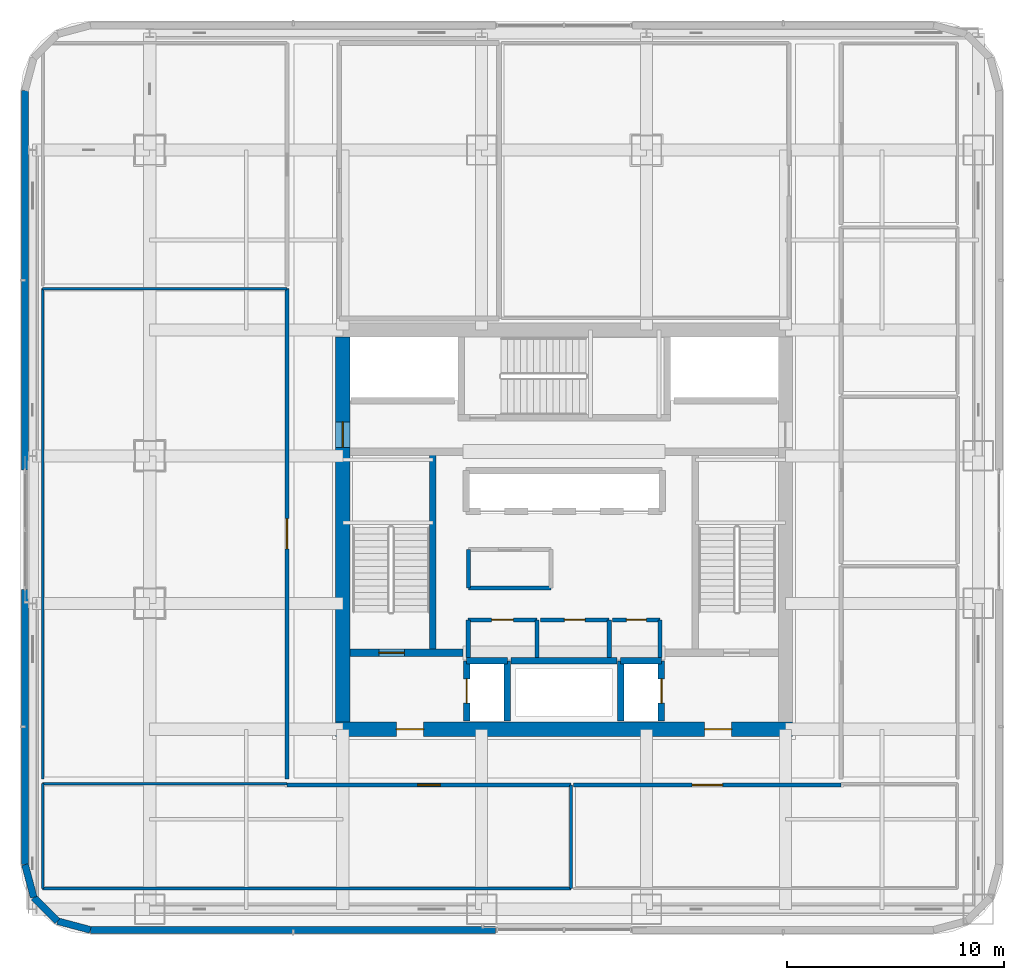
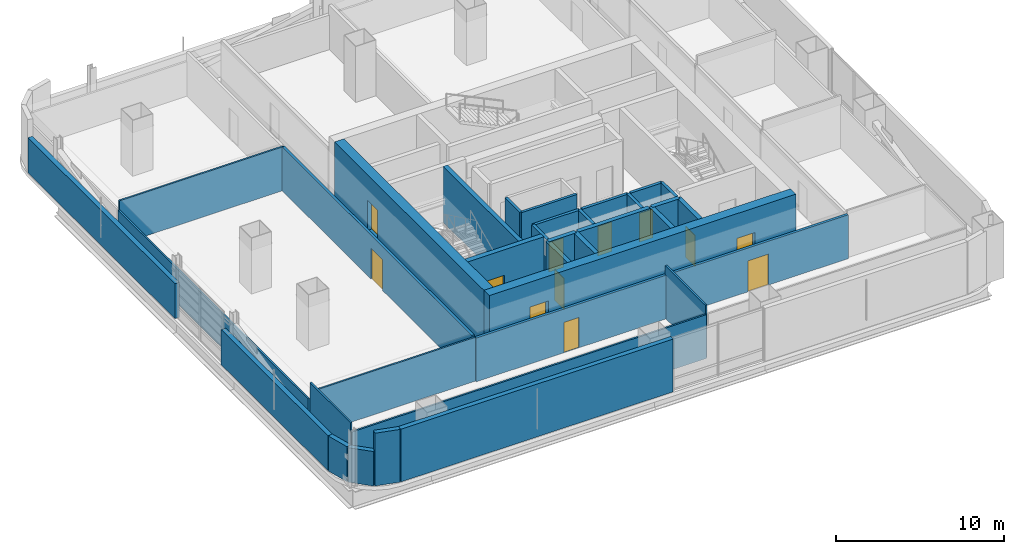
# One storey, part 13 of 32: 35 walls, 12 doors, 12 openings.
"""IFC4 building model written with IfcOpenShell, lengths in metres."""

from ifc_helpers import new_model, si_unit, direction, frame, frame_2d, origin, place, context, subcontext, project, spatial, rectangle, extrude, material, layer, layer_set, type_object, element, fill, save


model = new_model("IFC4")

# Units and contexts
model_context = context("Model", 3, precision=1e-05, world=origin(), true_north=direction((0.0, 1.0)))
body_context = subcontext(model_context, "Body", "Model", "MODEL_VIEW")
ifc_project = project(units=[si_unit("LENGTHUNIT", "METRE"), si_unit("AREAUNIT", "SQUARE_METRE"), si_unit("VOLUMEUNIT", "CUBIC_METRE"), si_unit("PLANEANGLEUNIT", "RADIAN"), si_unit("MASSUNIT", "GRAM", prefix="KILO")], contexts=[model_context])

# Site, building, storey
site_placement = place(None, origin())
site = spatial("IfcSite", under=ifc_project, at=site_placement, CompositionType="ELEMENT")
building_placement = place(site_placement, origin())
building = spatial("IfcBuilding", under=site, at=building_placement, Name="Punatoya Terracotta Tower", CompositionType="ELEMENT")
storey_placement = place(building_placement, frame((0.0, 0.0, 139.800048828125)))
storey = spatial("IfcBuildingStorey", under=building, at=storey_placement, Name="L32", CompositionType="ELEMENT", Elevation=139.800048828125)

# Wall, openings, doors
ifc_material_1 = material(Name="Concrete C60/75", Category="concrete")
ifc_layer_1 = layer(ifc_material_1, 0.64990234375)
ifc_layer_set_1 = layer_set([ifc_layer_1], Name="Concrete C60/75")
wall_type_1 = type_object("IfcWallType", Name="WL-COR-650", PredefinedType="SHEAR", material=ifc_layer_set_1)
wall_1_placement = place(storey_placement, frame((10.52490234375, -9.199951171875, 0.0), z_axis=(0.0, 0.0, 1.0), x_axis=(-1.0, 0.0, 0.0)))
wall_1 = element("IfcWall", 1, at=wall_1_placement, inside=storey, type_object=wall_type_1, Name="L32 Core Shear Wall S", PredefinedType="SHEAR", context=body_context, shape_type="SweptSolid", body=[
    extrude(rectangle(XDim=21.0498046875, YDim=0.64990234375, at=frame_2d((10.52490234375, 0.0))), origin(), (0.0, 0.0, 1.0), 4.050048828125),
])
opening_1_placement = place(wall_1_placement, frame((2.800048828125, 0.0, 0.0)))
opening_1 = element("IfcOpeningElement", 2, at=opening_1_placement, cuts=wall_1, Name="Opening FD-L1", PredefinedType="OPENING", context=body_context, shape_type="SweptSolid", body=[
    extrude(rectangle(XDim=1.25, YDim=2.25, at=frame_2d((0.625, 1.125))), frame((0.0, 0.3349609375, 0.0), z_axis=(0.0, -1.0, 0.0), x_axis=(1.0, 0.0, 0.0)), (0.0, 0.0, 1.0), 0.669921875),
])
opening_2_placement = place(wall_1_placement, frame((17.0, 0.0, 0.0)))
opening_2 = element("IfcOpeningElement", 3, at=opening_2_placement, cuts=wall_1, Name="Opening FD-L1", PredefinedType="OPENING", context=body_context, shape_type="SweptSolid", body=[
    extrude(rectangle(XDim=1.25, YDim=2.25, at=frame_2d((0.625, 1.125))), frame((0.0, 0.3349609375, 0.0), z_axis=(0.0, -1.0, 0.0), x_axis=(1.0, 0.0, 0.0)), (0.0, 0.0, 1.0), 0.669921875),
])
ifc_material_2 = material(Name="Galvanised Steel Smokeproof Fire Door", Category="steel")
door_type_1 = type_object("IfcDoorType", Name="DR-FFL-1250", OperationType="NOTDEFINED", PredefinedType="DOOR", material=ifc_material_2)
door_1_placement = place(opening_1_placement, origin())
door_1 = element("IfcDoor", 4, at=door_1_placement, inside=storey, type_object=door_type_1, Name="L32 East Firefighting Lobby Corridor Fire Door", OperationType="SINGLE_SWING_LEFT", OverallHeight=2.25, OverallWidth=1.25, PredefinedType="DOOR", context=body_context, shape_type="SweptSolid", body=[
    extrude(rectangle(XDim=1.25, YDim=2.25, at=frame_2d((0.625, 1.125))), frame((0.0, 0.02490234375, 0.0), z_axis=(0.0, -1.0, 0.0), x_axis=(1.0, 0.0, 0.0)), (0.0, 0.0, 1.0), 0.050048828125),
])
fill(opening_1, door_1)
door_2_placement = place(opening_2_placement, origin())
door_2 = element("IfcDoor", 5, at=door_2_placement, inside=storey, type_object=door_type_1, Name="L32 West Firefighting Lobby Corridor Fire Door", OperationType="SINGLE_SWING_RIGHT", OverallHeight=2.25, OverallWidth=1.25, PredefinedType="DOOR", context=body_context, shape_type="SweptSolid", body=[
    extrude(rectangle(XDim=1.25, YDim=2.25, at=frame_2d((0.625, 1.125))), frame((0.0, 0.02490234375, 0.0), z_axis=(0.0, -1.0, 0.0), x_axis=(1.0, 0.0, 0.0)), (0.0, 0.0, 1.0), 0.050048828125),
])
fill(opening_2, door_2)

# Wall, opening, door
wall_2_placement = place(storey_placement, frame((-10.199951171875, -8.875, 0.0), z_axis=(0.0, 0.0, 1.0), x_axis=(0.0, 1.0, 0.0)))
wall_2 = element("IfcWall", 6, at=wall_2_placement, inside=storey, type_object=wall_type_1, Name="L32 Core Shear Wall W", PredefinedType="SHEAR", context=body_context, shape_type="SweptSolid", body=[
    extrude(rectangle(XDim=17.75, YDim=0.64990234375, at=frame_2d((8.875, 0.0))), origin(), (0.0, 0.0, 1.0), 4.050048828125),
])
opening_3_placement = place(wall_2_placement, frame((12.6650390625, 0.0, 0.0)))
opening_3 = element("IfcOpeningElement", 7, at=opening_3_placement, cuts=wall_2, Name="Opening SD-01", PredefinedType="OPENING", context=body_context, shape_type="SweptSolid", body=[
    extrude(rectangle(XDim=1.179931640625, YDim=2.199951171875, at=frame_2d((0.58984375, 1.10009765625))), frame((0.0, 0.3349609375, 0.0), z_axis=(0.0, -1.0, 0.0), x_axis=(1.0, 0.0, 0.0)), (0.0, 0.0, 1.0), 0.669921875),
])
ifc_material_3 = material(Name="Galvanised Steel Pressurized Stair Fire Door", Category="steel")
door_type_2 = type_object("IfcDoorType", Name="DR-STR-1180", OperationType="NOTDEFINED", PredefinedType="DOOR", material=ifc_material_3)
door_3_placement = place(opening_3_placement, origin())
door_3 = element("IfcDoor", 8, at=door_3_placement, inside=storey, type_object=door_type_2, Name="L32 Central Lift Lobby West Fire Door", OperationType="SINGLE_SWING_LEFT", OverallHeight=2.199951171875, OverallWidth=1.179931640625, PredefinedType="DOOR", context=body_context, shape_type="SweptSolid", body=[
    extrude(rectangle(XDim=1.179931640625, YDim=2.199951171875, at=frame_2d((0.58984375, 1.10009765625))), frame((0.0, 0.02490234375, 0.0), z_axis=(0.0, -1.0, 0.0), x_axis=(1.0, 0.0, 0.0)), (0.0, 0.0, 1.0), 0.050048828125),
])
fill(opening_3, door_3)

# Walls
ifc_material_4 = material(Name="Gypsum Fireboard + Steel Stud", Category="steel")
ifc_layer_2 = layer(ifc_material_4, 0.179931640625)
ifc_layer_set_2 = layer_set([ifc_layer_2], Name="Gypsum Fireboard + Steel Stud")
wall_type_2 = type_object("IfcWallType", Name="WL-CORR-180", PredefinedType="PARTITIONING", material=ifc_layer_set_2)
wall_3_placement = place(storey_placement, frame((-4.39990234375, -0.919921875, 0.0), z_axis=(0.0, 0.0, 1.0), x_axis=(0.0, -1.0, 0.0)))
element("IfcWall", 9, at=wall_3_placement, inside=storey, type_object=wall_type_2, Name="L32 West Core Archive Office Partition 10", PredefinedType="PARTITIONING", context=body_context, shape_type="SweptSolid", body=[
    extrude(rectangle(XDim=1.760009765625, YDim=0.179931640625, at=frame_2d((0.8798828125, 0.0))), origin(), (0.0, 0.0, 1.0), 3.829833984375),
])
wall_4_placement = place(storey_placement, frame((-4.39990234375, -2.679931640625, 0.0), z_axis=(0.0, 0.0, 1.0), x_axis=(1.0, 0.0, 0.0)))
element("IfcWall", 10, at=wall_4_placement, inside=storey, type_object=wall_type_2, Name="L32 West Core Archive Office Partition 11", PredefinedType="PARTITIONING", context=body_context, shape_type="SweptSolid", body=[
    extrude(rectangle(XDim=3.7998046875, YDim=0.179931640625, at=frame_2d((1.89990234375, 0.0))), origin(), (0.0, 0.0, 1.0), 3.829833984375),
])

# Wall, opening, door
wall_5_placement = place(storey_placement, frame((-12.77001953125, -11.77001953125, 0.0), z_axis=(0.0, 0.0, 1.0), x_axis=(1.0, 0.0, 0.0)))
wall_5 = element("IfcWall", 11, at=wall_5_placement, inside=storey, type_object=wall_type_2, Name="L32 Client Media Salon Partition 13", PredefinedType="PARTITIONING", context=body_context, shape_type="SweptSolid", body=[
    extrude(rectangle(XDim=13.088134765625, YDim=0.179931640625, at=frame_2d((6.5439453125, 0.0))), origin(), (0.0, 0.0, 1.0), 3.174072265625),
])
opening_4_placement = place(wall_5_placement, frame((6.01904296875, 0.0, 0.0)))
opening_4 = element("IfcOpeningElement", 12, at=opening_4_placement, cuts=wall_5, Name="Opening OD-01", PredefinedType="OPENING", context=body_context, shape_type="SweptSolid", body=[
    extrude(rectangle(XDim=1.050048828125, YDim=2.199951171875, at=frame_2d((0.52490234375, 1.10009765625))), frame((0.0, 0.099853515625, 0.0), z_axis=(0.0, -1.0, 0.0), x_axis=(1.0, 0.0, 0.0)), (0.0, 0.0, 1.0), 0.199951171875),
])
ifc_material_5 = material(Name="Bengal Teak Solid-Core Leaf")
door_type_3 = type_object("IfcDoorType", Name="DR-OFF-1050", OperationType="NOTDEFINED", PredefinedType="DOOR", material=ifc_material_5)
door_4_placement = place(opening_4_placement, origin())
door_4 = element("IfcDoor", 13, at=door_4_placement, inside=storey, type_object=door_type_3, Name="L32 Client Media Salon Door", OperationType="SINGLE_SWING_RIGHT", OverallHeight=2.199951171875, OverallWidth=1.050048828125, PredefinedType="DOOR", context=body_context, shape_type="SweptSolid", body=[
    extrude(rectangle(XDim=1.050048828125, YDim=2.199951171875, at=frame_2d((0.52490234375, 1.10009765625))), frame((0.0, 0.02490234375, 0.0), z_axis=(0.0, -1.0, 0.0), x_axis=(1.0, 0.0, 0.0)), (0.0, 0.0, 1.0), 0.050048828125),
])
fill(opening_4, door_4)

wall_6_placement = place(storey_placement, frame((0.43798828125, -11.77001953125, 0.0), z_axis=(0.0, 0.0, 1.0), x_axis=(1.0, 0.0, 0.0)))
wall_6 = element("IfcWall", 14, at=wall_6_placement, inside=storey, type_object=wall_type_2, Name="L32 Media Broadcast Studio Partition 17", PredefinedType="PARTITIONING", context=body_context, shape_type="SweptSolid", body=[
    extrude(rectangle(XDim=12.33203125, YDim=0.179931640625, at=frame_2d((6.166015625, 0.0))), origin(), (0.0, 0.0, 1.0), 3.174072265625),
])
opening_5_placement = place(wall_6_placement, frame((5.466064453125, 0.0, 0.0)))
opening_5 = element("IfcOpeningElement", 15, at=opening_5_placement, cuts=wall_6, Name="Opening BD-01", PredefinedType="OPENING", context=body_context, shape_type="SweptSolid", body=[
    extrude(rectangle(XDim=1.39990234375, YDim=2.25, at=frame_2d((0.699951171875, 1.125))), frame((0.0, 0.099853515625, 0.0), z_axis=(0.0, -1.0, 0.0), x_axis=(1.0, 0.0, 0.0)), (0.0, 0.0, 1.0), 0.199951171875),
])
ifc_material_6 = material(Name="Bengal Teak Acoustic Leaf")
door_type_4 = type_object("IfcDoorType", Name="DR-BRD-1400", OperationType="NOTDEFINED", PredefinedType="DOOR", material=ifc_material_6)
door_5_placement = place(opening_5_placement, origin())
door_5 = element("IfcDoor", 16, at=door_5_placement, inside=storey, type_object=door_type_4, Name="L32 Media Broadcast Studio Door", OperationType="SINGLE_SWING_LEFT", OverallHeight=2.25, OverallWidth=1.39990234375, PredefinedType="DOOR", context=body_context, shape_type="SweptSolid", body=[
    extrude(rectangle(XDim=1.39990234375, YDim=2.25, at=frame_2d((0.699951171875, 1.125))), frame((0.0, 0.02490234375, 0.0), z_axis=(0.0, -1.0, 0.0), x_axis=(1.0, 0.0, 0.0)), (0.0, 0.0, 1.0), 0.050048828125),
])
fill(opening_5, door_5)

wall_7_placement = place(storey_placement, frame((-12.77001953125, 11.110107421875, 0.0), z_axis=(0.0, 0.0, 1.0), x_axis=(0.0, -1.0, 0.0)))
wall_7 = element("IfcWall", 17, at=wall_7_placement, inside=storey, type_object=wall_type_2, Name="L32 Press Briefing Room Partition 26", PredefinedType="PARTITIONING", context=body_context, shape_type="SweptSolid", body=[
    extrude(rectangle(XDim=22.60009765625, YDim=0.179931640625, at=frame_2d((11.300048828125, 0.0))), origin(), (0.0, 0.0, 1.0), 3.174072265625),
])
opening_6_placement = place(wall_7_placement, frame((10.60009765625, 0.0, 0.0)))
opening_6 = element("IfcOpeningElement", 18, at=opening_6_placement, cuts=wall_7, Name="Opening BD-01", PredefinedType="OPENING", context=body_context, shape_type="SweptSolid", body=[
    extrude(rectangle(XDim=1.39990234375, YDim=2.25, at=frame_2d((0.699951171875, 1.125))), frame((0.0, 0.099853515625, 0.0), z_axis=(0.0, -1.0, 0.0), x_axis=(1.0, 0.0, 0.0)), (0.0, 0.0, 1.0), 0.199951171875),
])
door_6_placement = place(opening_6_placement, origin())
door_6 = element("IfcDoor", 19, at=door_6_placement, inside=storey, type_object=door_type_4, Name="L32 Press Briefing Room Door", OperationType="SINGLE_SWING_LEFT", OverallHeight=2.25, OverallWidth=1.39990234375, PredefinedType="DOOR", context=body_context, shape_type="SweptSolid", body=[
    extrude(rectangle(XDim=1.39990234375, YDim=2.25, at=frame_2d((0.699951171875, 1.125))), frame((0.0, 0.02490234375, 0.0), z_axis=(0.0, -1.0, 0.0), x_axis=(1.0, 0.0, 0.0)), (0.0, 0.0, 1.0), 0.050048828125),
])
fill(opening_6, door_6)

# Walls
ifc_material_7 = material(Name="Precast concrete C40/50", Category="concrete")
ifc_layer_3 = layer(ifc_material_7, 0.320068359375)
ifc_layer_set_3 = layer_set([ifc_layer_3], Name="Precast concrete C40/50")
wall_type_3 = type_object("IfcWallType", Name="WL-EXT-320", PredefinedType="SOLIDWALL", material=ifc_layer_set_3)
wall_8_placement = place(storey_placement, frame((-21.8369140625, -18.449951171875, 0.0), z_axis=(0.0, 0.0, 1.0), x_axis=(1.0, 0.0, 0.0)))
element("IfcWall", 20, at=wall_8_placement, inside=storey, type_object=wall_type_3, Name="L32 Terracotta Braced Facade Wall S1", PredefinedType="SOLIDWALL", context=body_context, shape_type="SweptSolid", body=[
    extrude(rectangle(XDim=18.68701171875, YDim=0.320068359375, at=frame_2d((9.343505859375, 0.0))), origin(), (0.0, 0.0, 1.0), 3.829833984375),
])
wall_9_placement = place(storey_placement, frame((-24.85009765625, 20.23681640625, 0.0), z_axis=(0.0, 0.0, 1.0), x_axis=(0.0, -1.0, 0.0)))
element("IfcWall", 21, at=wall_9_placement, inside=storey, type_object=wall_type_3, Name="L32 Terracotta Braced Facade Wall W1", PredefinedType="SOLIDWALL", context=body_context, shape_type="SweptSolid", body=[
    extrude(rectangle(XDim=17.48681640625, YDim=0.320068359375, at=frame_2d((8.743408203125, 0.0))), origin(), (0.0, 0.0, 1.0), 2.5439453125),
])
wall_10_placement = place(storey_placement, frame((-24.85009765625, -2.75, 0.0), z_axis=(0.0, 0.0, 1.0), x_axis=(0.0, -1.0, 0.0)))
element("IfcWall", 22, at=wall_10_placement, inside=storey, type_object=wall_type_3, Name="L32 Terracotta Braced Facade Wall W2", PredefinedType="SOLIDWALL", context=body_context, shape_type="SweptSolid", body=[
    extrude(rectangle(XDim=12.68701171875, YDim=0.320068359375, at=frame_2d((6.343505859375, 0.0))), origin(), (0.0, 0.0, 1.0), 2.5439453125),
])
wall_11_placement = place(storey_placement, frame((-24.85009765625, -15.43701171875, 0.0), z_axis=(0.0, 0.0, 1.0), x_axis=(0.257847112249, -0.966185730957, 0.0)))
element("IfcWall", 23, at=wall_11_placement, inside=storey, type_object=wall_type_3, Name="L32 Rounded Terracotta Corner Pier 14", PredefinedType="SOLIDWALL", context=body_context, shape_type="SweptSolid", body=[
    extrude(rectangle(XDim=1.565185546875, YDim=0.320068359375, at=frame_2d((0.78271484375, 0.0))), origin(), (0.0, 0.0, 1.0), 2.5439453125),
])
wall_12_placement = place(storey_placement, frame((-24.446533203125, -16.94921875, 0.0), z_axis=(0.0, 0.0, 1.0), x_axis=(0.707106781187, -0.707106781187, 0.0)))
element("IfcWall", 24, at=wall_12_placement, inside=storey, type_object=wall_type_3, Name="L32 Rounded Terracotta Corner Pier 15", PredefinedType="SOLIDWALL", context=body_context, shape_type="SweptSolid", body=[
    extrude(rectangle(XDim=1.552001953125, YDim=0.320068359375, at=frame_2d((0.77587890625, 0.0))), origin(), (0.0, 0.0, 1.0), 2.50390625),
])
wall_13_placement = place(storey_placement, frame((-23.34912109375, -18.046630859375, 0.0), z_axis=(0.0, 0.0, 1.0), x_axis=(0.966224582397, -0.257701486942, 0.0)))
element("IfcWall", 25, at=wall_13_placement, inside=storey, type_object=wall_type_3, Name="L32 Rounded Terracotta Corner Pier 16", PredefinedType="SOLIDWALL", context=body_context, shape_type="SweptSolid", body=[
    extrude(rectangle(XDim=1.565185546875, YDim=0.320068359375, at=frame_2d((0.78271484375, 0.0))), origin(), (0.0, 0.0, 1.0), 3.829833984375),
])
ifc_material_8 = material(Name="Concrete C40/50", Category="concrete")
ifc_layer_4 = layer(ifc_material_8, 0.199951171875)
ifc_layer_set_4 = layer_set([ifc_layer_4], Name="Concrete C40/50")
wall_type_4 = type_object("IfcWallType", Name="WL-INT-200", PredefinedType="SOLIDWALL", material=ifc_layer_set_4)
wall_14_placement = place(storey_placement, frame((-1.25, -5.89990234375, 0.0), z_axis=(0.0, 0.0, 1.0), x_axis=(0.0, 1.0, 0.0)))
element("IfcWall", 26, at=wall_14_placement, inside=storey, type_object=wall_type_4, Name="L32 Accessible Universal Washroom Partition 01", PredefinedType="SOLIDWALL", context=body_context, shape_type="SweptSolid", body=[
    extrude(rectangle(XDim=1.739990234375, YDim=0.199951171875, at=frame_2d((0.8701171875, 0.0))), origin(), (0.0, 0.0, 1.0), 3.829833984375),
])

# Wall, opening, door
wall_15_placement = place(storey_placement, frame((-1.25, -4.159912109375, 0.0), z_axis=(0.0, 0.0, 1.0), x_axis=(-1.0, 0.0, 0.0)))
wall_15 = element("IfcWall", 27, at=wall_15_placement, inside=storey, type_object=wall_type_4, Name="L32 Accessible Universal Washroom Partition 02", PredefinedType="SOLIDWALL", context=body_context, shape_type="SweptSolid", body=[
    extrude(rectangle(XDim=3.169921875, YDim=0.199951171875, at=frame_2d((1.5849609375, 0.0))), origin(), (0.0, 0.0, 1.0), 3.829833984375),
])
opening_7_placement = place(wall_15_placement, frame((1.0849609375, 0.0, 0.0)))
opening_7 = element("IfcOpeningElement", 28, at=opening_7_placement, cuts=wall_15, Name="Opening AWD-1", PredefinedType="OPENING", context=body_context, shape_type="SweptSolid", body=[
    extrude(rectangle(XDim=1.0, YDim=2.14990234375, at=frame_2d((0.5, 1.074951171875))), frame((0.0, 0.10986328125, 0.0), z_axis=(0.0, -1.0, 0.0), x_axis=(1.0, 0.0, 0.0)), (0.0, 0.0, 1.0), 0.219970703125),
])
ifc_material_9 = material(Name="Bengal Teak Accessible WC Leaf")
door_type_5 = type_object("IfcDoorType", Name="DR-ACC-1000", OperationType="NOTDEFINED", PredefinedType="DOOR", material=ifc_material_9)
door_7_placement = place(opening_7_placement, origin())
door_7 = element("IfcDoor", 29, at=door_7_placement, inside=storey, type_object=door_type_5, Name="L32 Accessible Universal Washroom Door", OperationType="SINGLE_SWING_RIGHT", OverallHeight=2.14990234375, OverallWidth=1.0, PredefinedType="DOOR", context=body_context, shape_type="SweptSolid", body=[
    extrude(rectangle(XDim=1.0, YDim=2.14990234375, at=frame_2d((0.5, 1.074951171875))), frame((0.0, 0.02490234375, 0.0), z_axis=(0.0, -1.0, 0.0), x_axis=(1.0, 0.0, 0.0)), (0.0, 0.0, 1.0), 0.050048828125),
])
fill(opening_7, door_7)

# Walls
for number, where, z_axis, x_axis, name in (
    (30, (-4.419921875, -4.159912109375, 0.0), (0.0, 0.0, 1.0), (0.0, -1.0, 0.0), "L32 Accessible Universal Washroom Partition 03"),
    (31, (2.080078125, -5.89990234375, 0.0), (0.0, 0.0, 1.0), (0.0, 1.0, 0.0), "L32 All-Gender Universal Washroom Partition 04"),
):
    element("IfcWall", number, at=place(storey_placement, frame(where, z_axis=z_axis, x_axis=x_axis)), inside=storey, type_object=wall_type_4, Name=name, PredefinedType="SOLIDWALL", context=body_context, shape_type="SweptSolid", body=[
        extrude(rectangle(XDim=1.739990234375, YDim=0.199951171875, at=frame_2d((0.8701171875, 0.0))), origin(), (0.0, 0.0, 1.0), 3.829833984375),
    ])

# Wall, opening, door
wall_16_placement = place(storey_placement, frame((2.080078125, -4.159912109375, 0.0), z_axis=(0.0, 0.0, 1.0), x_axis=(-1.0, 0.0, 0.0)))
wall_16 = element("IfcWall", 32, at=wall_16_placement, inside=storey, type_object=wall_type_4, Name="L32 All-Gender Universal Washroom Partition 05", PredefinedType="SOLIDWALL", context=body_context, shape_type="SweptSolid", body=[
    extrude(rectangle(XDim=3.170166015625, YDim=0.199951171875, at=frame_2d((1.5849609375, 0.0))), origin(), (0.0, 0.0, 1.0), 3.829833984375),
])
opening_8_placement = place(wall_16_placement, frame((1.110107421875, 0.0, 0.0)))
opening_8 = element("IfcOpeningElement", 33, at=opening_8_placement, cuts=wall_16, Name="Opening WD-01", PredefinedType="OPENING", context=body_context, shape_type="SweptSolid", body=[
    extrude(rectangle(XDim=0.949951171875, YDim=2.14990234375, at=frame_2d((0.47509765625, 1.074951171875))), frame((0.0, 0.10986328125, 0.0), z_axis=(0.0, -1.0, 0.0), x_axis=(1.0, 0.0, 0.0)), (0.0, 0.0, 1.0), 0.219970703125),
])
ifc_material_10 = material(Name="Moisture-Resistant Laminate Timber Leaf", Category="wood")
door_type_6 = type_object("IfcDoorType", Name="DR-WC-950", OperationType="NOTDEFINED", PredefinedType="DOOR", material=ifc_material_10)
door_8_placement = place(opening_8_placement, origin())
door_8 = element("IfcDoor", 34, at=door_8_placement, inside=storey, type_object=door_type_6, Name="L32 All-Gender Universal Washroom Door", OperationType="SINGLE_SWING_LEFT", OverallHeight=2.14990234375, OverallWidth=0.949951171875, PredefinedType="DOOR", context=body_context, shape_type="SweptSolid", body=[
    extrude(rectangle(XDim=0.949951171875, YDim=2.14990234375, at=frame_2d((0.47509765625, 1.074951171875))), frame((0.0, 0.02490234375, 0.0), z_axis=(0.0, -1.0, 0.0), x_axis=(1.0, 0.0, 0.0)), (0.0, 0.0, 1.0), 0.050048828125),
])
fill(opening_8, door_8)

# Wall
wall_17_placement = place(storey_placement, frame((4.419921875, -5.89990234375, 0.0), z_axis=(0.0, 0.0, 1.0), x_axis=(0.0, 1.0, 0.0)))
element("IfcWall", 35, at=wall_17_placement, inside=storey, type_object=wall_type_4, Name="L32 Core Electrical Switchgear Room Partition 06", PredefinedType="SOLIDWALL", context=body_context, shape_type="SweptSolid", body=[
    extrude(rectangle(XDim=1.739990234375, YDim=0.199951171875, at=frame_2d((0.8701171875, 0.0))), origin(), (0.0, 0.0, 1.0), 3.829833984375),
])

# Wall, opening, door
wall_18_placement = place(storey_placement, frame((4.419921875, -4.159912109375, 0.0), z_axis=(0.0, 0.0, 1.0), x_axis=(-1.0, 0.0, 0.0)))
wall_18 = element("IfcWall", 36, at=wall_18_placement, inside=storey, type_object=wall_type_4, Name="L32 Core Electrical Switchgear Room Partition 07", PredefinedType="SOLIDWALL", context=body_context, shape_type="SweptSolid", body=[
    extrude(rectangle(XDim=2.179931640625, YDim=0.199951171875, at=frame_2d((1.08984375, 0.0))), origin(), (0.0, 0.0, 1.0), 3.829833984375),
])
opening_9_placement = place(wall_18_placement, frame((0.6298828125, 0.0, 0.0)))
opening_9 = element("IfcOpeningElement", 37, at=opening_9_placement, cuts=wall_18, Name="Opening FD-R1", PredefinedType="OPENING", context=body_context, shape_type="SweptSolid", body=[
    extrude(rectangle(XDim=0.919921875, YDim=2.10009765625, at=frame_2d((0.4599609375, 1.050048828125))), frame((0.0, 0.10986328125, 0.0), z_axis=(0.0, -1.0, 0.0), x_axis=(1.0, 0.0, 0.0)), (0.0, 0.0, 1.0), 0.219970703125),
])
ifc_material_11 = material(Name="Galvanised Steel Riser Fire Access Door", Category="steel")
door_type_7 = type_object("IfcDoorType", Name="DR-RSR-920", OperationType="NOTDEFINED", PredefinedType="DOOR", material=ifc_material_11)
door_9_placement = place(opening_9_placement, origin())
door_9 = element("IfcDoor", 38, at=door_9_placement, inside=storey, type_object=door_type_7, Name="L32 Core Electrical Switchgear Room Fire Door", OperationType="SINGLE_SWING_RIGHT", OverallHeight=2.10009765625, OverallWidth=0.919921875, PredefinedType="DOOR", context=body_context, shape_type="SweptSolid", body=[
    extrude(rectangle(XDim=0.919921875, YDim=2.10009765625, at=frame_2d((0.4599609375, 1.050048828125))), frame((0.0, 0.02490234375, 0.0), z_axis=(0.0, -1.0, 0.0), x_axis=(1.0, 0.0, 0.0)), (0.0, 0.0, 1.0), 0.050048828125),
])
fill(opening_9, door_9)

# Walls
ifc_material_12 = material(Name="Gypsum Partition + Steel Stud", Category="steel")
ifc_layer_5 = layer(ifc_material_12, 0.1201171875)
ifc_layer_set_5 = layer_set([ifc_layer_5], Name="Gypsum Partition + Steel Stud")
wall_type_5 = type_object("IfcWallType", Name="WL-OFF-120", PredefinedType="PARTITIONING", material=ifc_layer_set_5)
wall_19_placement = place(storey_placement, frame((-24.0400390625, -11.7099609375, 0.0), z_axis=(0.0, 0.0, 1.0), x_axis=(1.0, 0.0, 0.0)))
element("IfcWall", 39, at=wall_19_placement, inside=storey, type_object=wall_type_5, Name="L32 Client Media Salon Partition 12", PredefinedType="PARTITIONING", context=body_context, shape_type="SweptSolid", body=[
    extrude(rectangle(XDim=11.27001953125, YDim=0.1201171875, at=frame_2d((5.635009765625, 0.0))), origin(), (0.0, 0.0, 1.0), 3.174072265625),
])
wall_20_placement = place(storey_placement, frame((0.318115234375, -11.77001953125, 0.0), z_axis=(0.0, 0.0, 1.0), x_axis=(0.0, -1.0, 0.0)))
element("IfcWall", 40, at=wall_20_placement, inside=storey, type_object=wall_type_5, Name="L32 Client Media Salon Partition 14", PredefinedType="PARTITIONING", context=body_context, shape_type="SweptSolid", body=[
    extrude(rectangle(XDim=4.77001953125, YDim=0.1201171875, at=frame_2d((2.385009765625, 0.0))), origin(), (0.0, 0.0, 1.0), 3.829833984375),
])
wall_21_placement = place(storey_placement, frame((0.318115234375, -16.5400390625, 0.0), z_axis=(0.0, 0.0, 1.0), x_axis=(-1.0, 0.0, 0.0)))
element("IfcWall", 41, at=wall_21_placement, inside=storey, type_object=wall_type_5, Name="L32 Client Media Salon Partition 15", PredefinedType="PARTITIONING", context=body_context, shape_type="SweptSolid", body=[
    extrude(rectangle(XDim=24.358154296875, YDim=0.1201171875, at=frame_2d((12.17919921875, 0.0))), origin(), (0.0, 0.0, 1.0), 3.174072265625),
])
wall_22_placement = place(storey_placement, frame((-24.0400390625, -16.5400390625, 0.0), z_axis=(0.0, 0.0, 1.0), x_axis=(0.0, 1.0, 0.0)))
element("IfcWall", 42, at=wall_22_placement, inside=storey, type_object=wall_type_5, Name="L32 Client Media Salon Partition 16", PredefinedType="PARTITIONING", context=body_context, shape_type="SweptSolid", body=[
    extrude(rectangle(XDim=4.830078125, YDim=0.1201171875, at=frame_2d((2.4150390625, 0.0))), origin(), (0.0, 0.0, 1.0), 3.829833984375),
])
wall_23_placement = place(storey_placement, frame((-24.0400390625, -11.489990234375, 0.0), z_axis=(0.0, 0.0, 1.0), x_axis=(0.0, 1.0, 0.0)))
element("IfcWall", 43, at=wall_23_placement, inside=storey, type_object=wall_type_5, Name="L32 Press Briefing Room Partition 24", PredefinedType="PARTITIONING", context=body_context, shape_type="SweptSolid", body=[
    extrude(rectangle(XDim=22.60009765625, YDim=0.1201171875, at=frame_2d((11.300048828125, 0.0))), origin(), (0.0, 0.0, 1.0), 2.50390625),
])
wall_24_placement = place(storey_placement, frame((-24.0400390625, 11.110107421875, 0.0), z_axis=(0.0, 0.0, 1.0), x_axis=(1.0, 0.0, 0.0)))
element("IfcWall", 44, at=wall_24_placement, inside=storey, type_object=wall_type_5, Name="L32 Press Briefing Room Partition 25", PredefinedType="PARTITIONING", context=body_context, shape_type="SweptSolid", body=[
    extrude(rectangle(XDim=11.27001953125, YDim=0.1201171875, at=frame_2d((5.635009765625, 0.0))), origin(), (0.0, 0.0, 1.0), 3.174072265625),
])
ifc_layer_6 = layer(ifc_material_8, 0.300048828125)
ifc_layer_set_6 = layer_set([ifc_layer_6], Name="Concrete C40/50")
wall_type_6 = type_object("IfcWallType", Name="WL-SHF-300", PredefinedType="SOLIDWALL", material=ifc_layer_set_6)
wall_25_placement = place(storey_placement, frame((-6.050048828125, -5.5, 0.0), z_axis=(0.0, 0.0, 1.0), x_axis=(0.0, 1.0, 0.0)))
element("IfcWall", 45, at=wall_25_placement, inside=storey, type_object=wall_type_6, Name="L32 Structural Stair Shaft Wall SW-ST1-E", PredefinedType="SOLIDWALL", context=body_context, shape_type="SweptSolid", body=[
    extrude(rectangle(XDim=8.949951171875, YDim=0.300048828125, at=frame_2d((4.47509765625, 0.0))), origin(), (0.0, 0.0, 1.0), 4.050048828125),
])

# Wall, opening, door
wall_26_placement = place(storey_placement, frame((-4.489990234375, -8.820068359375, 0.0), z_axis=(0.0, 0.0, 1.0), x_axis=(0.0, 1.0, 0.0)))
wall_26 = element("IfcWall", 46, at=wall_26_placement, inside=storey, type_object=wall_type_6, Name="L32 FFL-1 Front Hoistway Wall", PredefinedType="SOLIDWALL", context=body_context, shape_type="SweptSolid", body=[
    extrude(rectangle(XDim=2.77001953125, YDim=0.300048828125, at=frame_2d((1.385009765625, 0.0))), origin(), (0.0, 0.0, 1.0), 3.829833984375),
])
opening_10_placement = place(wall_26_placement, frame((0.824951171875, 0.0, 0.0)))
opening_10 = element("IfcOpeningElement", 47, at=opening_10_placement, cuts=wall_26, Name="Opening LD-02", PredefinedType="OPENING", context=body_context, shape_type="SweptSolid", body=[
    extrude(rectangle(XDim=1.1201171875, YDim=2.25, at=frame_2d((0.56005859375, 1.125))), frame((0.0, 0.159912109375, 0.0), z_axis=(0.0, -1.0, 0.0), x_axis=(1.0, 0.0, 0.0)), (0.0, 0.0, 1.0), 0.320068359375),
])
ifc_material_13 = material(Name="Stainless Steel Lift Landing Door", Category="steel")
door_type_8 = type_object("IfcDoorType", Name="DR-LND-1120", OperationType="NOTDEFINED", PredefinedType="DOOR", material=ifc_material_13)
door_10_placement = place(opening_10_placement, origin())
door_10 = element("IfcDoor", 48, at=door_10_placement, inside=storey, type_object=door_type_8, Name="L32 Firefighting Lift FFL-1 Sliding Landing Door", OperationType="SLIDING_TO_LEFT", OverallHeight=2.25, OverallWidth=1.1201171875, PredefinedType="DOOR", context=body_context, shape_type="SweptSolid", body=[
    extrude(rectangle(XDim=1.1201171875, YDim=2.25, at=frame_2d((0.56005859375, 1.125))), frame((0.0, 0.02490234375, 0.0), z_axis=(0.0, -1.0, 0.0), x_axis=(1.0, 0.0, 0.0)), (0.0, 0.0, 1.0), 0.050048828125),
])
fill(opening_10, door_10)

# Walls
wall_27_placement = place(storey_placement, frame((-2.610107421875, -8.820068359375, 0.0), z_axis=(0.0, 0.0, 1.0), x_axis=(0.0, 1.0, 0.0)))
element("IfcWall", 49, at=wall_27_placement, inside=storey, type_object=wall_type_6, Name="L32 FFL-1 Rear Hoistway Wall", PredefinedType="SOLIDWALL", context=body_context, shape_type="SweptSolid", body=[
    extrude(rectangle(XDim=2.77001953125, YDim=0.300048828125, at=frame_2d((1.385009765625, 0.0))), origin(), (0.0, 0.0, 1.0), 3.829833984375),
])
wall_28_placement = place(storey_placement, frame((-4.489990234375, -6.050048828125, 0.0), z_axis=(0.0, 0.0, 1.0), x_axis=(1.0, 0.0, 0.0)))
element("IfcWall", 50, at=wall_28_placement, inside=storey, type_object=wall_type_6, Name="L32 FFL-1 North Hoistway Wall", PredefinedType="SOLIDWALL", context=body_context, shape_type="SweptSolid", body=[
    extrude(rectangle(XDim=1.8798828125, YDim=0.300048828125, at=frame_2d((0.93994140625, 0.0))), origin(), (0.0, 0.0, 1.0), 3.829833984375),
])

# Wall, opening, door
wall_29_placement = place(storey_placement, frame((4.489990234375, -8.820068359375, 0.0), z_axis=(0.0, 0.0, 1.0), x_axis=(0.0, 1.0, 0.0)))
wall_29 = element("IfcWall", 51, at=wall_29_placement, inside=storey, type_object=wall_type_6, Name="L32 FFL-2 Front Hoistway Wall", PredefinedType="SOLIDWALL", context=body_context, shape_type="SweptSolid", body=[
    extrude(rectangle(XDim=2.77001953125, YDim=0.300048828125, at=frame_2d((1.385009765625, 0.0))), origin(), (0.0, 0.0, 1.0), 3.829833984375),
])
opening_11_placement = place(wall_29_placement, frame((0.824951171875, 0.0, 0.0)))
opening_11 = element("IfcOpeningElement", 52, at=opening_11_placement, cuts=wall_29, Name="Opening LD-02", PredefinedType="OPENING", context=body_context, shape_type="SweptSolid", body=[
    extrude(rectangle(XDim=1.1201171875, YDim=2.25, at=frame_2d((0.56005859375, 1.125))), frame((0.0, 0.159912109375, 0.0), z_axis=(0.0, -1.0, 0.0), x_axis=(1.0, 0.0, 0.0)), (0.0, 0.0, 1.0), 0.320068359375),
])
door_11_placement = place(opening_11_placement, origin())
door_11 = element("IfcDoor", 53, at=door_11_placement, inside=storey, type_object=door_type_8, Name="L32 Firefighting Lift FFL-2 Sliding Landing Door", OperationType="SLIDING_TO_RIGHT", OverallHeight=2.25, OverallWidth=1.1201171875, PredefinedType="DOOR", context=body_context, shape_type="SweptSolid", body=[
    extrude(rectangle(XDim=1.1201171875, YDim=2.25, at=frame_2d((0.56005859375, 1.125))), frame((0.0, 0.02490234375, 0.0), z_axis=(0.0, -1.0, 0.0), x_axis=(1.0, 0.0, 0.0)), (0.0, 0.0, 1.0), 0.050048828125),
])
fill(opening_11, door_11)

# Walls
wall_30_placement = place(storey_placement, frame((2.610107421875, -8.820068359375, 0.0), z_axis=(0.0, 0.0, 1.0), x_axis=(0.0, 1.0, 0.0)))
element("IfcWall", 54, at=wall_30_placement, inside=storey, type_object=wall_type_6, Name="L32 FFL-2 Rear Hoistway Wall", PredefinedType="SOLIDWALL", context=body_context, shape_type="SweptSolid", body=[
    extrude(rectangle(XDim=2.77001953125, YDim=0.300048828125, at=frame_2d((1.385009765625, 0.0))), origin(), (0.0, 0.0, 1.0), 3.829833984375),
])
wall_31_placement = place(storey_placement, frame((2.610107421875, -6.050048828125, 0.0), z_axis=(0.0, 0.0, 1.0), x_axis=(1.0, 0.0, 0.0)))
element("IfcWall", 55, at=wall_31_placement, inside=storey, type_object=wall_type_6, Name="L32 FFL-2 North Hoistway Wall", PredefinedType="SOLIDWALL", context=body_context, shape_type="SweptSolid", body=[
    extrude(rectangle(XDim=1.8798828125, YDim=0.300048828125, at=frame_2d((0.93994140625, 0.0))), origin(), (0.0, 0.0, 1.0), 3.829833984375),
])
wall_32_placement = place(storey_placement, frame((-2.449951171875, -6.050048828125, 0.0), z_axis=(0.0, 0.0, 1.0), x_axis=(1.0, 0.0, 0.0)))
element("IfcWall", 56, at=wall_32_placement, inside=storey, type_object=wall_type_6, Name="L32 Observation Shuttle Rear Hoistway Wall", PredefinedType="SOLIDWALL", context=body_context, shape_type="SweptSolid", body=[
    extrude(rectangle(XDim=4.89990234375, YDim=0.300048828125, at=frame_2d((2.449951171875, 0.0))), origin(), (0.0, 0.0, 1.0), 3.829833984375),
])

# Wall, opening, door
ifc_material_14 = material(Name="Concrete C50/60", Category="concrete")
ifc_layer_7 = layer(ifc_material_14, 0.35009765625)
ifc_layer_set_7 = layer_set([ifc_layer_7], Name="Concrete C50/60")
wall_type_7 = type_object("IfcWallType", Name="WL-SHF-350", PredefinedType="SOLIDWALL", material=ifc_layer_set_7)
wall_33_placement = place(storey_placement, frame((-9.875, -5.679931640625, 0.0), z_axis=(0.0, 0.0, 1.0), x_axis=(1.0, 0.0, 0.0)))
wall_33 = element("IfcWall", 57, at=wall_33_placement, inside=storey, type_object=wall_type_7, Name="L32 Core Web Wall CSW-L", PredefinedType="SOLIDWALL", context=body_context, shape_type="SweptSolid", body=[
    extrude(rectangle(XDim=5.22509765625, YDim=0.35009765625, at=frame_2d((2.612548828125, 0.0))), origin(), (0.0, 0.0, 1.0), 4.050048828125),
])
opening_12_placement = place(wall_33_placement, frame((1.3349609375, 0.0, 0.0)))
opening_12 = element("IfcOpeningElement", 58, at=opening_12_placement, cuts=wall_33, Name="Opening SD-01", PredefinedType="OPENING", context=body_context, shape_type="SweptSolid", body=[
    extrude(rectangle(XDim=1.179931640625, YDim=2.199951171875, at=frame_2d((0.58984375, 1.10009765625))), frame((0.0, 0.18505859375, 0.0), z_axis=(0.0, -1.0, 0.0), x_axis=(1.0, 0.0, 0.0)), (0.0, 0.0, 1.0), 0.3701171875),
])
door_12_placement = place(opening_12_placement, origin())
door_12 = element("IfcDoor", 59, at=door_12_placement, inside=storey, type_object=door_type_2, Name="L32 Stair ST-1 Smokeproof Lobby Fire Door", OperationType="SINGLE_SWING_LEFT", OverallHeight=2.199951171875, OverallWidth=1.179931640625, PredefinedType="DOOR", context=body_context, shape_type="SweptSolid", body=[
    extrude(rectangle(XDim=1.179931640625, YDim=2.199951171875, at=frame_2d((0.58984375, 1.10009765625))), frame((0.0, 0.02490234375, 0.0), z_axis=(0.0, -1.0, 0.0), x_axis=(1.0, 0.0, 0.0)), (0.0, 0.0, 1.0), 0.050048828125),
])
fill(opening_12, door_12)

save(model, "model.ifc")
